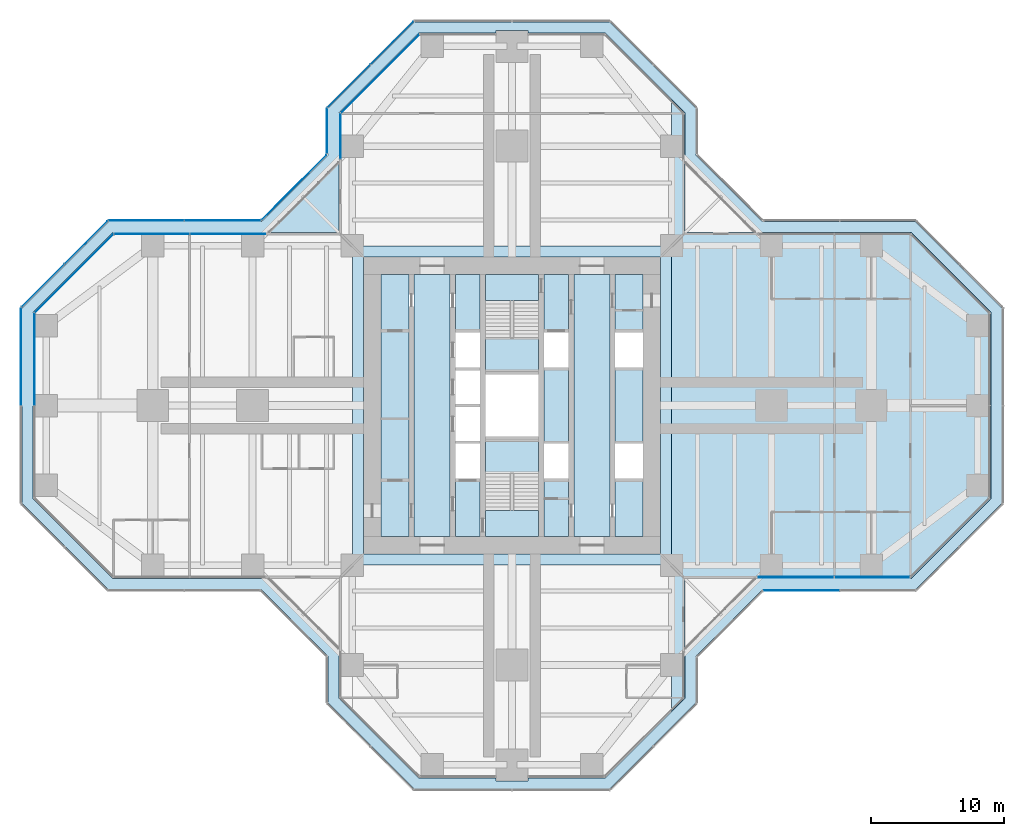
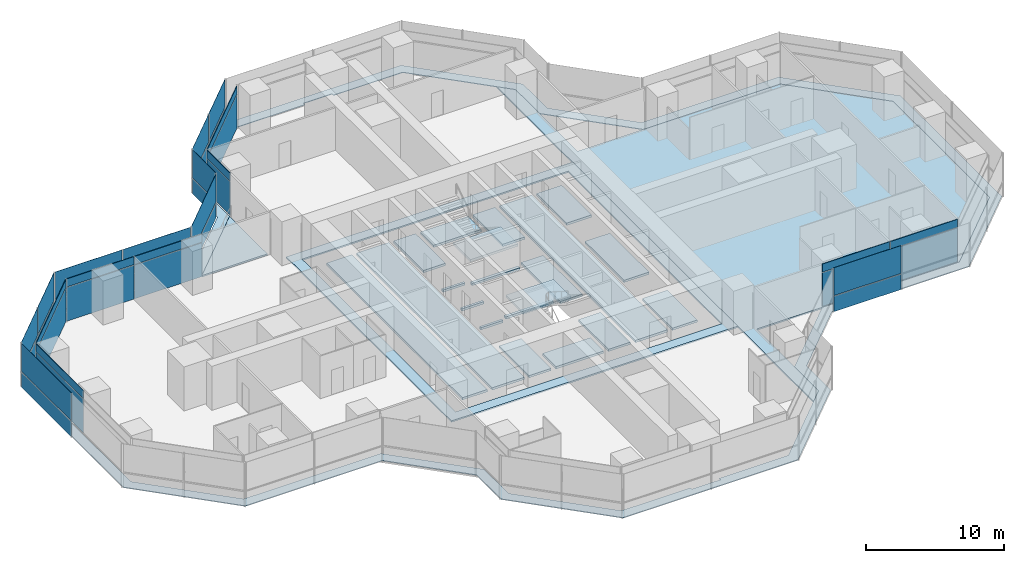
# One storey, part 13 of 20: 37 plates, 8 slabs, 15 elements without a shape of their own.
"""IFC4 building model written with IfcOpenShell, lengths in metres."""

from ifc_helpers import new_model, si_unit, direction, frame, origin, origin_2d, place, context, subcontext, project, spatial, polyline, rectangle, outline, extrude, material, layer, layer_set, type_object, element, aggregate, save


model = new_model("IFC4")

# Units and contexts
model_context = context("Model", 3, precision=1e-05, world=origin(), true_north=direction((0.0, 1.0)))
body_context = subcontext(model_context, "Body", "Model", "MODEL_VIEW")
ifc_project = project(units=[si_unit("LENGTHUNIT", "METRE"), si_unit("AREAUNIT", "SQUARE_METRE"), si_unit("VOLUMEUNIT", "CUBIC_METRE"), si_unit("PLANEANGLEUNIT", "RADIAN"), si_unit("MASSUNIT", "GRAM", prefix="KILO")], contexts=[model_context])

# Site, building, storey
site_placement = place(None, origin())
site = spatial("IfcSite", under=ifc_project, at=site_placement, CompositionType="ELEMENT")
building_placement = place(site_placement, origin())
building = spatial("IfcBuilding", under=site, at=building_placement, Name="Mizan Broadcast Tower", CompositionType="ELEMENT")
storey_placement = place(building_placement, frame((0.0, 0.0, 135.89990234375)))
storey = spatial("IfcBuildingStorey", under=building, at=storey_placement, Name="L30", CompositionType="ELEMENT", Elevation=135.89990234375)

# Plate
ifc_material_1 = material(Name="Aluminium grating", Category="aluminium")
ifc_layer_1 = layer(ifc_material_1, 0.050048828125)
ifc_layer_set_1 = layer_set([ifc_layer_1], Name="Aluminium grating")
plate_type_1 = type_object("IfcPlateType", Name="CAVITY GRATING", PredefinedType="USERDEFINED", material=ifc_layer_set_1)
plate_1_placement = place(storey_placement, frame((0.0, 0.0, -0.0498046875)))
element("IfcPlate", 1, at=plate_1_placement, inside=storey, type_object=plate_type_1, Name="Cavity grating L30", ObjectType="GRATING", PredefinedType="USERDEFINED", context=body_context, shape_type="SweptSolid", body=[
    extrude(outline(polyline([(13.820068359375, -18.839599609375), (18.839599609375, -13.820068359375), (30.339599609375, -13.820068359375), (36.820068359375, -7.339599609375), (36.820068359375, 7.339599609375), (30.339599609375, 13.820068359375), (18.839599609375, 13.820068359375), (13.820068359375, 18.839599609375), (13.820068359375, 22.339599609375), (7.339599609375, 28.820068359375), (-7.339599609375, 28.820068359375), (-13.820068359375, 22.339599609375), (-13.820068359375, 18.839599609375), (-18.839599609375, 13.820068359375), (-30.339599609375, 13.820068359375), (-36.820068359375, 7.339599609375), (-36.820068359375, -7.339599609375), (-30.339599609375, -13.820068359375), (-18.839599609375, -13.820068359375), (-13.820068359375, -18.839599609375), (-13.820068359375, -22.339599609375), (-7.339599609375, -28.820068359375), (7.339599609375, -28.820068359375), (13.820068359375, -22.339599609375), (13.820068359375, -18.839599609375)]), holes=[polyline([(36.0, 7.0), (36.0, -7.0), (30.0, -13.0), (18.5, -13.0), (13.0, -18.5), (13.0, -22.0), (7.0, -28.0), (1.199951171875, -28.0), (1.199951171875, -28.199951171875), (-1.199951171875, -28.199951171875), (-1.199951171875, -28.0), (-7.0, -28.0), (-13.0, -22.0), (-13.0, -18.5), (-18.5, -13.0), (-30.0, -13.0), (-36.0, -7.0), (-36.0, 7.0), (-30.0, 13.0), (-18.5, 13.0), (-13.0, 18.5), (-13.0, 22.0), (-7.0, 28.0), (-1.199951171875, 28.0), (-1.199951171875, 28.199951171875), (1.199951171875, 28.199951171875), (1.199951171875, 28.0), (7.0, 28.0), (13.0, 22.0), (13.0, 18.5), (18.5, 13.0), (30.0, 13.0), (36.0, 7.0)])]), origin(), (0.0, 0.0, 1.0), 0.0498046875),
])

# Slabs
ifc_material_2 = material(Name="Concrete C32/40", Category="concrete")
ifc_layer_2 = layer(ifc_material_2, 0.1298828125)
ifc_layer_set_2 = layer_set([ifc_layer_2], Name="Concrete C32/40")
slab_type_1 = type_object("IfcSlabType", Name="COMPOSITE DECK SLAB 130", PredefinedType="FLOOR", material=ifc_layer_set_2)
slab_1_placement = place(storey_placement, frame((0.0, 0.0, -0.1298828125)))
element("IfcSlab", 2, at=slab_1_placement, inside=storey, type_object=slab_type_1, Name="Floor slab L30 centre", PredefinedType="FLOOR", context=body_context, shape_type="SweptSolid", body=[
    extrude(outline(polyline([(-12.0, -12.0), (12.0, -12.0), (12.0, 12.0), (-12.0, 12.0), (-12.0, -12.0)]), holes=[polyline([(-11.14990234375, 11.14990234375), (11.14990234375, 11.14990234375), (11.14990234375, -11.14990234375), (-11.14990234375, -11.14990234375), (-11.14990234375, 11.14990234375)])]), origin(), (0.0, 0.0, 1.0), 0.1298828125),
])
slab_2_placement = place(storey_placement, frame((0.0, 0.0, -0.1298828125)))
element("IfcSlab", 3, at=slab_2_placement, inside=storey, type_object=slab_type_1, Name="Floor slab L30 east arm", PredefinedType="FLOOR", context=body_context, shape_type="SweptSolid", body=[
    extrude(outline(polyline([(12.0, -23.0), (13.0, -22.0), (13.0, -13.0), (30.0, -13.0), (36.0, -7.0), (36.0, 7.0), (30.0, 13.0), (13.0, 13.0), (13.0, 22.0), (12.0, 23.0), (12.0, -23.0)])), origin(), (0.0, 0.0, 1.0), 0.1298828125),
])
ifc_material_3 = material(Name="Concrete C40/50", Category="concrete")
ifc_layer_3 = layer(ifc_material_3, 0.199951171875)
ifc_layer_set_3 = layer_set([ifc_layer_3], Name="Concrete C40/50")
slab_type_2 = type_object("IfcSlabType", Name="CORE FLOOR 200", PredefinedType="FLOOR", material=ifc_layer_set_3)
slab_3_placement = place(storey_placement, frame((0.0, 0.0, -0.199951171875)))
element("IfcSlab", 4, at=slab_3_placement, inside=storey, type_object=slab_type_2, Name="Core floor L30", PredefinedType="FLOOR", context=body_context, shape_type="SweptSolid", body=[
    extrude(outline(polyline([(-9.85009765625, -9.85009765625), (-7.75, -9.85009765625), (-7.75, 9.85009765625), (-9.85009765625, 9.85009765625), (-9.85009765625, -9.85009765625)])), origin(), (0.0, 0.0, 1.0), 0.199951171875),
    extrude(outline(polyline([(-4.64990234375, 9.85009765625), (-7.35009765625, 9.85009765625), (-7.35009765625, -9.85009765625), (-4.64990234375, -9.85009765625), (-4.64990234375, 9.85009765625)])), origin(), (0.0, 0.0, 1.0), 0.199951171875),
    extrude(outline(polyline([(-4.25, -5.5), (-4.25, -9.85009765625), (-2.39990234375, -9.85009765625), (-2.39990234375, -5.5), (-4.25, -5.5)])), origin(), (0.0, 0.0, 1.0), 0.199951171875),
    extrude(outline(polyline([(-4.25, -2.85009765625), (-2.39990234375, -2.85009765625), (-2.39990234375, -2.64990234375), (-4.25, -2.64990234375), (-4.25, -2.85009765625)])), origin(), (0.0, 0.0, 1.0), 0.199951171875),
    extrude(outline(polyline([(-4.25, -0.10009765625), (-2.39990234375, -0.10009765625), (-2.39990234375, 0.10009765625), (-4.25, 0.10009765625), (-4.25, -0.10009765625)])), origin(), (0.0, 0.0, 1.0), 0.199951171875),
    extrude(outline(polyline([(-4.25, 2.64990234375), (-2.39990234375, 2.64990234375), (-2.39990234375, 2.85009765625), (-4.25, 2.85009765625), (-4.25, 2.64990234375)])), origin(), (0.0, 0.0, 1.0), 0.199951171875),
    extrude(outline(polyline([(-4.25, 5.5), (-2.39990234375, 5.5), (-2.39990234375, 9.85009765625), (-4.25, 9.85009765625), (-4.25, 5.5)])), origin(), (0.0, 0.0, 1.0), 0.199951171875),
    extrude(outline(polyline([(2.0, -2.324951171875), (-2.0, -2.324951171875), (-2.0, -2.574951171875), (2.0, -2.574951171875), (2.0, -2.324951171875)])), origin(), (0.0, 0.0, 1.0), 0.199951171875),
    extrude(outline(polyline([(2.0, 2.574951171875), (-2.0, 2.574951171875), (-2.0, 2.324951171875), (2.0, 2.324951171875), (2.0, 2.574951171875)])), origin(), (0.0, 0.0, 1.0), 0.199951171875),
    extrude(outline(polyline([(4.25, -9.85009765625), (4.25, -5.5), (2.39990234375, -5.5), (2.39990234375, -9.85009765625), (4.25, -9.85009765625)])), origin(), (0.0, 0.0, 1.0), 0.199951171875),
    extrude(outline(polyline([(4.25, -2.85009765625), (4.25, 2.85009765625), (2.39990234375, 2.85009765625), (2.39990234375, -2.85009765625), (4.25, -2.85009765625)])), origin(), (0.0, 0.0, 1.0), 0.199951171875),
    extrude(outline(polyline([(4.25, 5.5), (4.25, 9.85009765625), (2.39990234375, 9.85009765625), (2.39990234375, 5.5), (4.25, 5.5)])), origin(), (0.0, 0.0, 1.0), 0.199951171875),
    extrude(outline(polyline([(4.64990234375, 9.85009765625), (4.64990234375, -9.85009765625), (7.35009765625, -9.85009765625), (7.35009765625, 9.85009765625), (4.64990234375, 9.85009765625)])), origin(), (0.0, 0.0, 1.0), 0.199951171875),
    extrude(outline(polyline([(9.85009765625, -9.85009765625), (9.85009765625, -5.5), (7.75, -5.5), (7.75, -9.85009765625), (9.85009765625, -9.85009765625)])), origin(), (0.0, 0.0, 1.0), 0.199951171875),
    extrude(outline(polyline([(7.75, -2.85009765625), (9.85009765625, -2.85009765625), (9.85009765625, 2.85009765625), (7.75, 2.85009765625), (7.75, -2.85009765625)])), origin(), (0.0, 0.0, 1.0), 0.199951171875),
    extrude(outline(polyline([(9.85009765625, 5.5), (9.85009765625, 9.85009765625), (7.75, 9.85009765625), (7.75, 5.5), (9.85009765625, 5.5)])), origin(), (0.0, 0.0, 1.0), 0.199951171875),
])

# Curtain wall, plates
ifc_material_4 = material(Name="Aluminium framed glazing", Category="aluminium")
curtain_wall_type_1 = type_object("IfcCurtainWallType", Name="INNER SKIN MID ZONE", PredefinedType="USERDEFINED", material=ifc_material_4)
curtain_wall_1_placement = place(storey_placement, origin())
curtain_wall_1 = element("IfcCurtainWall", 5, at=curtain_wall_1_placement, inside=storey, type_object=curtain_wall_type_1, Name="Inner skin mid zone L30 E side", ObjectType="INNER SKIN MID ZONE", PredefinedType="USERDEFINED")
ifc_material_5 = material(Name="Double glazing, clear low-e", Category="glass")
ifc_layer_4 = layer(ifc_material_5, 0.028076171875)
ifc_layer_set_4 = layer_set([ifc_layer_4], Name="Double glazing, clear low-e")
plate_type_2 = type_object("IfcPlateType", Name="INNER SKIN GLAZING UNIT", PredefinedType="CURTAIN_PANEL", material=ifc_layer_set_4)
plate_2_placement = place(storey_placement, frame((21.379638671875, -12.89990234375, 0.0), z_axis=(0.0, 0.0, 1.0), x_axis=(1.0, 0.0, 0.0)))
plate_2 = element("IfcPlate", 6, at=plate_2_placement, type_object=plate_type_2, Name="Inner skin mid zone L30 E side panel 1.1", PredefinedType="CURTAIN_PANEL", context=body_context, shape_type="SweptSolid", body=[
    extrude(rectangle(XDim=5.639404296875, YDim=0.028076171875, at=origin_2d()), origin(), (0.0, 0.0, 1.0), 3.0),
])
plate_3_placement = place(storey_placement, frame((27.078857421875, -12.89990234375, 0.0), z_axis=(0.0, 0.0, 1.0), x_axis=(1.0, 0.0, 0.0)))
plate_3 = element("IfcPlate", 7, at=plate_3_placement, type_object=plate_type_2, Name="Inner skin mid zone L30 E side panel 2.1", PredefinedType="CURTAIN_PANEL", context=body_context, shape_type="SweptSolid", body=[
    extrude(rectangle(XDim=5.639404296875, YDim=0.028076171875, at=origin_2d()), origin(), (0.0, 0.0, 1.0), 3.0),
])

# Curtain wall, plate
curtain_wall_2_placement = place(storey_placement, origin())
curtain_wall_2 = element("IfcCurtainWall", 8, at=curtain_wall_2_placement, inside=storey, type_object=curtain_wall_type_1, Name="Inner skin mid zone L30 N chamfer", ObjectType="INNER SKIN MID ZONE", PredefinedType="USERDEFINED")
plate_4_placement = place(storey_placement, frame((-9.92919921875, 24.92919921875, 0.0), z_axis=(0.0, 0.0, 1.0), x_axis=(-0.707106781187, -0.707106781187, 0.0)))
plate_4 = element("IfcPlate", 9, at=plate_4_placement, type_object=plate_type_2, Name="Inner skin mid zone L30 N chamfer panel 1.1", PredefinedType="CURTAIN_PANEL", context=body_context, shape_type="SweptSolid", body=[
    extrude(rectangle(XDim=8.282470703125, YDim=0.028076171875, at=origin_2d()), origin(), (0.0, 0.0, 1.0), 3.0),
])

curtain_wall_3_placement = place(storey_placement, origin())
curtain_wall_3 = element("IfcCurtainWall", 10, at=curtain_wall_3_placement, inside=storey, type_object=curtain_wall_type_1, Name="Inner skin mid zone L30 N side", ObjectType="INNER SKIN MID ZONE", PredefinedType="USERDEFINED")
plate_5_placement = place(storey_placement, frame((-12.89990234375, 20.229248046875, 0.0), z_axis=(0.0, 0.0, 1.0), x_axis=(0.0, -1.0, 0.0)))
plate_5 = element("IfcPlate", 11, at=plate_5_placement, type_object=plate_type_2, Name="Inner skin mid zone L30 N side panel 1.1", PredefinedType="CURTAIN_PANEL", context=body_context, shape_type="SweptSolid", body=[
    extrude(rectangle(XDim=3.338623046875, YDim=0.028076171875, at=origin_2d()), origin(), (0.0, 0.0, 1.0), 3.0),
])

# Curtain wall, plates
curtain_wall_4_placement = place(storey_placement, origin())
curtain_wall_4 = element("IfcCurtainWall", 12, at=curtain_wall_4_placement, inside=storey, type_object=curtain_wall_type_1, Name="Inner skin mid zone L30 W side", ObjectType="INNER SKIN MID ZONE", PredefinedType="USERDEFINED")
plate_6_placement = place(storey_placement, frame((-21.379638671875, 12.89990234375, 0.0), z_axis=(0.0, 0.0, 1.0), x_axis=(-1.0, 0.0, 0.0)))
plate_6 = element("IfcPlate", 13, at=plate_6_placement, type_object=plate_type_2, Name="Inner skin mid zone L30 W side panel 1.1", PredefinedType="CURTAIN_PANEL", context=body_context, shape_type="SweptSolid", body=[
    extrude(rectangle(XDim=5.639404296875, YDim=0.028076171875, at=origin_2d()), origin(), (0.0, 0.0, 1.0), 3.0),
])
plate_7_placement = place(storey_placement, frame((-27.078857421875, 12.89990234375, 0.0), z_axis=(0.0, 0.0, 1.0), x_axis=(-1.0, 0.0, 0.0)))
plate_7 = element("IfcPlate", 14, at=plate_7_placement, type_object=plate_type_2, Name="Inner skin mid zone L30 W side panel 2.1", PredefinedType="CURTAIN_PANEL", context=body_context, shape_type="SweptSolid", body=[
    extrude(rectangle(XDim=5.639404296875, YDim=0.028076171875, at=origin_2d()), origin(), (0.0, 0.0, 1.0), 3.0),
])

# Curtain wall, plate
curtain_wall_5_placement = place(storey_placement, origin())
curtain_wall_5 = element("IfcCurtainWall", 15, at=curtain_wall_5_placement, inside=storey, type_object=curtain_wall_type_1, Name="Inner skin mid zone L30 W chamfer", ObjectType="INNER SKIN MID ZONE", PredefinedType="USERDEFINED")
plate_8_placement = place(storey_placement, frame((-32.92919921875, 9.92919921875, 0.0), z_axis=(0.0, 0.0, 1.0), x_axis=(-0.707106781187, -0.707106781187, 0.0)))
plate_8 = element("IfcPlate", 16, at=plate_8_placement, type_object=plate_type_2, Name="Inner skin mid zone L30 W chamfer panel 1.1", PredefinedType="CURTAIN_PANEL", context=body_context, shape_type="SweptSolid", body=[
    extrude(rectangle(XDim=8.282470703125, YDim=0.028076171875, at=origin_2d()), origin(), (0.0, 0.0, 1.0), 3.0),
])

curtain_wall_6_placement = place(storey_placement, origin())
curtain_wall_6 = element("IfcCurtainWall", 17, at=curtain_wall_6_placement, inside=storey, type_object=curtain_wall_type_1, Name="Inner skin mid zone L30 W end", ObjectType="INNER SKIN MID ZONE", PredefinedType="USERDEFINED")
plate_9_placement = place(storey_placement, frame((-35.89990234375, 3.46435546875, 0.0), z_axis=(0.0, 0.0, 1.0), x_axis=(0.0, -1.0, 0.0)))
plate_9 = element("IfcPlate", 18, at=plate_9_placement, type_object=plate_type_2, Name="Inner skin mid zone L30 W end panel 1.1", PredefinedType="CURTAIN_PANEL", context=body_context, shape_type="SweptSolid", body=[
    extrude(rectangle(XDim=6.86865234375, YDim=0.028076171875, at=origin_2d()), origin(), (0.0, 0.0, 1.0), 3.0),
])

# Plate
ifc_material_6 = material(Name="Insulated aluminium spandrel panel, pale anodised", Category="aluminium")
ifc_layer_5 = layer(ifc_material_6, 0.050048828125)
ifc_layer_set_5 = layer_set([ifc_layer_5], Name="Insulated aluminium spandrel panel, pale anodised")
plate_type_3 = type_object("IfcPlateType", Name="INNER SKIN SPANDREL PANEL", PredefinedType="CURTAIN_PANEL", material=ifc_layer_set_5)
plate_10_placement = place(storey_placement, frame((21.379638671875, -12.89990234375, 3.06005859375), z_axis=(0.0, 0.0, 1.0), x_axis=(1.0, 0.0, 0.0)))
plate_10 = element("IfcPlate", 19, at=plate_10_placement, type_object=plate_type_3, Name="Inner skin mid zone L30 E side panel 1.2", PredefinedType="CURTAIN_PANEL", context=body_context, shape_type="SweptSolid", body=[
    extrude(rectangle(XDim=5.639404296875, YDim=0.050048828125, at=origin_2d()), origin(), (0.0, 0.0, 1.0), 0.7099609375),
])

plate_11_placement = place(storey_placement, frame((27.078857421875, -12.89990234375, 3.06005859375), z_axis=(0.0, 0.0, 1.0), x_axis=(1.0, 0.0, 0.0)))
plate_11 = element("IfcPlate", 20, at=plate_11_placement, type_object=plate_type_3, Name="Inner skin mid zone L30 E side panel 2.2", PredefinedType="CURTAIN_PANEL", context=body_context, shape_type="SweptSolid", body=[
    extrude(rectangle(XDim=5.639404296875, YDim=0.050048828125, at=origin_2d()), origin(), (0.0, 0.0, 1.0), 0.7099609375),
])

aggregate(curtain_wall_1, [plate_2, plate_10, plate_3, plate_11])

plate_12_placement = place(storey_placement, frame((-9.92919921875, 24.92919921875, 3.06005859375), z_axis=(0.0, 0.0, 1.0), x_axis=(-0.707106781187, -0.707106781187, 0.0)))
plate_12 = element("IfcPlate", 21, at=plate_12_placement, type_object=plate_type_3, Name="Inner skin mid zone L30 N chamfer panel 1.2", PredefinedType="CURTAIN_PANEL", context=body_context, shape_type="SweptSolid", body=[
    extrude(rectangle(XDim=8.282470703125, YDim=0.050048828125, at=origin_2d()), origin(), (0.0, 0.0, 1.0), 0.7099609375),
])

aggregate(curtain_wall_2, [plate_4, plate_12])

plate_13_placement = place(storey_placement, frame((-12.89990234375, 20.229248046875, 3.06005859375), z_axis=(0.0, 0.0, 1.0), x_axis=(0.0, -1.0, 0.0)))
plate_13 = element("IfcPlate", 22, at=plate_13_placement, type_object=plate_type_3, Name="Inner skin mid zone L30 N side panel 1.2", PredefinedType="CURTAIN_PANEL", context=body_context, shape_type="SweptSolid", body=[
    extrude(rectangle(XDim=3.338623046875, YDim=0.050048828125, at=origin_2d()), origin(), (0.0, 0.0, 1.0), 0.7099609375),
])

aggregate(curtain_wall_3, [plate_5, plate_13])

plate_14_placement = place(storey_placement, frame((-21.379638671875, 12.89990234375, 3.06005859375), z_axis=(0.0, 0.0, 1.0), x_axis=(-1.0, 0.0, 0.0)))
plate_14 = element("IfcPlate", 23, at=plate_14_placement, type_object=plate_type_3, Name="Inner skin mid zone L30 W side panel 1.2", PredefinedType="CURTAIN_PANEL", context=body_context, shape_type="SweptSolid", body=[
    extrude(rectangle(XDim=5.639404296875, YDim=0.050048828125, at=origin_2d()), origin(), (0.0, 0.0, 1.0), 0.7099609375),
])

plate_15_placement = place(storey_placement, frame((-27.078857421875, 12.89990234375, 3.06005859375), z_axis=(0.0, 0.0, 1.0), x_axis=(-1.0, 0.0, 0.0)))
plate_15 = element("IfcPlate", 24, at=plate_15_placement, type_object=plate_type_3, Name="Inner skin mid zone L30 W side panel 2.2", PredefinedType="CURTAIN_PANEL", context=body_context, shape_type="SweptSolid", body=[
    extrude(rectangle(XDim=5.639404296875, YDim=0.050048828125, at=origin_2d()), origin(), (0.0, 0.0, 1.0), 0.7099609375),
])

aggregate(curtain_wall_4, [plate_6, plate_14, plate_7, plate_15])

plate_16_placement = place(storey_placement, frame((-32.92919921875, 9.92919921875, 3.06005859375), z_axis=(0.0, 0.0, 1.0), x_axis=(-0.707106781187, -0.707106781187, 0.0)))
plate_16 = element("IfcPlate", 25, at=plate_16_placement, type_object=plate_type_3, Name="Inner skin mid zone L30 W chamfer panel 1.2", PredefinedType="CURTAIN_PANEL", context=body_context, shape_type="SweptSolid", body=[
    extrude(rectangle(XDim=8.282470703125, YDim=0.050048828125, at=origin_2d()), origin(), (0.0, 0.0, 1.0), 0.7099609375),
])

aggregate(curtain_wall_5, [plate_8, plate_16])

plate_17_placement = place(storey_placement, frame((-35.89990234375, 3.46435546875, 3.06005859375), z_axis=(0.0, 0.0, 1.0), x_axis=(0.0, -1.0, 0.0)))
plate_17 = element("IfcPlate", 26, at=plate_17_placement, type_object=plate_type_3, Name="Inner skin mid zone L30 W end panel 1.2", PredefinedType="CURTAIN_PANEL", context=body_context, shape_type="SweptSolid", body=[
    extrude(rectangle(XDim=6.86865234375, YDim=0.050048828125, at=origin_2d()), origin(), (0.0, 0.0, 1.0), 0.7099609375),
])

aggregate(curtain_wall_6, [plate_9, plate_17])

# Curtain wall, plates
ifc_material_7 = material(Name="Aluminium framed glazing", Category="aluminium")
curtain_wall_type_2 = type_object("IfcCurtainWallType", Name="OUTER SKIN", PredefinedType="USERDEFINED", material=ifc_material_7)
curtain_wall_7_placement = place(storey_placement, origin())
curtain_wall_7 = element("IfcCurtainWall", 27, at=curtain_wall_7_placement, inside=storey, type_object=curtain_wall_type_2, Name="Outer skin L30 N chamfer", ObjectType="OUTER SKIN", PredefinedType="USERDEFINED")
ifc_material_8 = material(Name="Laminated clear glass", Category="glass")
ifc_layer_6 = layer(ifc_material_8, 0.02001953125)
ifc_layer_set_6 = layer_set([ifc_layer_6], Name="Laminated clear glass")
plate_type_4 = type_object("IfcPlateType", Name="OUTER SKIN CLEAR GLASS", PredefinedType="CURTAIN_PANEL", material=ifc_layer_set_6)
plate_18_placement = place(storey_placement, frame((-9.018798828125, 27.254150390625, 0.0), z_axis=(0.0, 0.0, 1.0), x_axis=(-0.707106781187, -0.707106781187, 0.0)))
plate_18 = element("IfcPlate", 28, at=plate_18_placement, type_object=plate_type_4, Name="Outer skin L30 N chamfer panel 1.1", PredefinedType="CURTAIN_PANEL", context=body_context, shape_type="SweptSolid", body=[
    extrude(rectangle(XDim=4.495361328125, YDim=0.02001953125, at=origin_2d()), origin(), (0.0, 0.0, 1.0), 1.3701171875),
])
plate_19_placement = place(storey_placement, frame((-9.018798828125, 27.254150390625, 1.43017578125), z_axis=(0.0, 0.0, 1.0), x_axis=(-0.707106781187, -0.707106781187, 0.0)))
plate_19 = element("IfcPlate", 29, at=plate_19_placement, type_object=plate_type_4, Name="Outer skin L30 N chamfer panel 1.2", PredefinedType="CURTAIN_PANEL", context=body_context, shape_type="SweptSolid", body=[
    extrude(rectangle(XDim=4.495361328125, YDim=0.02001953125, at=origin_2d()), origin(), (0.0, 0.0, 1.0), 2.469970703125),
])

curtain_wall_8_placement = place(storey_placement, origin())
curtain_wall_8 = element("IfcCurtainWall", 30, at=curtain_wall_8_placement, inside=storey, type_object=curtain_wall_type_2, Name="Outer skin L30 N side", ObjectType="OUTER SKIN", PredefinedType="USERDEFINED")
plate_20_placement = place(storey_placement, frame((-13.89990234375, 20.622802734375, 0.0), z_axis=(0.0, 0.0, 1.0), x_axis=(0.0, -1.0, 0.0)))
plate_20 = element("IfcPlate", 31, at=plate_20_placement, type_object=plate_type_4, Name="Outer skin L30 N side panel 1.1", PredefinedType="CURTAIN_PANEL", context=body_context, shape_type="SweptSolid", body=[
    extrude(rectangle(XDim=3.340087890625, YDim=0.02001953125, at=origin_2d()), origin(), (0.0, 0.0, 1.0), 1.3701171875),
])
plate_21_placement = place(storey_placement, frame((-13.89990234375, 20.622802734375, 1.43017578125), z_axis=(0.0, 0.0, 1.0), x_axis=(0.0, -1.0, 0.0)))
plate_21 = element("IfcPlate", 32, at=plate_21_placement, type_object=plate_type_4, Name="Outer skin L30 N side panel 1.2", PredefinedType="CURTAIN_PANEL", context=body_context, shape_type="SweptSolid", body=[
    extrude(rectangle(XDim=3.340087890625, YDim=0.02001953125, at=origin_2d()), origin(), (0.0, 0.0, 1.0), 2.469970703125),
])
aggregate(curtain_wall_8, [plate_20, plate_21])

curtain_wall_9_placement = place(storey_placement, origin())
curtain_wall_9 = element("IfcCurtainWall", 33, at=curtain_wall_9_placement, inside=storey, type_object=curtain_wall_type_2, Name="Outer skin L30 W chamfer", ObjectType="OUTER SKIN", PredefinedType="USERDEFINED")
plate_22_placement = place(storey_placement, frame((-16.386474609375, 16.386474609375, 0.0), z_axis=(0.0, 0.0, 1.0), x_axis=(-0.707106781187, -0.707106781187, 0.0)))
plate_22 = element("IfcPlate", 34, at=plate_22_placement, type_object=plate_type_4, Name="Outer skin L30 W chamfer panel 1.1", PredefinedType="CURTAIN_PANEL", context=body_context, shape_type="SweptSolid", body=[
    extrude(rectangle(XDim=6.87255859375, YDim=0.02001953125, at=origin_2d()), origin(), (0.0, 0.0, 1.0), 1.3701171875),
])
plate_23_placement = place(storey_placement, frame((-16.386474609375, 16.386474609375, 1.43017578125), z_axis=(0.0, 0.0, 1.0), x_axis=(-0.707106781187, -0.707106781187, 0.0)))
plate_23 = element("IfcPlate", 35, at=plate_23_placement, type_object=plate_type_4, Name="Outer skin L30 W chamfer panel 1.2", PredefinedType="CURTAIN_PANEL", context=body_context, shape_type="SweptSolid", body=[
    extrude(rectangle(XDim=6.87255859375, YDim=0.02001953125, at=origin_2d()), origin(), (0.0, 0.0, 1.0), 2.469970703125),
])
aggregate(curtain_wall_9, [plate_22, plate_23])

curtain_wall_10_placement = place(storey_placement, origin())
curtain_wall_10 = element("IfcCurtainWall", 36, at=curtain_wall_10_placement, inside=storey, type_object=curtain_wall_type_2, Name="Outer skin L30 W side", ObjectType="OUTER SKIN", PredefinedType="USERDEFINED")
plate_24_placement = place(storey_placement, frame((-21.767822265625, 13.89990234375, 0.0), z_axis=(0.0, 0.0, 1.0), x_axis=(-1.0, 0.0, 0.0)))
plate_24 = element("IfcPlate", 37, at=plate_24_placement, type_object=plate_type_4, Name="Outer skin L30 W side panel 1.1", PredefinedType="CURTAIN_PANEL", context=body_context, shape_type="SweptSolid", body=[
    extrude(rectangle(XDim=5.6298828125, YDim=0.02001953125, at=origin_2d()), origin(), (0.0, 0.0, 1.0), 1.3701171875),
])
plate_25_placement = place(storey_placement, frame((-21.767822265625, 13.89990234375, 1.43017578125), z_axis=(0.0, 0.0, 1.0), x_axis=(-1.0, 0.0, 0.0)))
plate_25 = element("IfcPlate", 38, at=plate_25_placement, type_object=plate_type_4, Name="Outer skin L30 W side panel 1.2", PredefinedType="CURTAIN_PANEL", context=body_context, shape_type="SweptSolid", body=[
    extrude(rectangle(XDim=5.6298828125, YDim=0.02001953125, at=origin_2d()), origin(), (0.0, 0.0, 1.0), 2.469970703125),
])
plate_26_placement = place(storey_placement, frame((-27.477783203125, 13.89990234375, 0.0), z_axis=(0.0, 0.0, 1.0), x_axis=(-1.0, 0.0, 0.0)))
plate_26 = element("IfcPlate", 39, at=plate_26_placement, type_object=plate_type_4, Name="Outer skin L30 W side panel 2.1", PredefinedType="CURTAIN_PANEL", context=body_context, shape_type="SweptSolid", body=[
    extrude(rectangle(XDim=5.6298828125, YDim=0.02001953125, at=origin_2d()), origin(), (0.0, 0.0, 1.0), 1.3701171875),
])
plate_27_placement = place(storey_placement, frame((-27.477783203125, 13.89990234375, 1.43017578125), z_axis=(0.0, 0.0, 1.0), x_axis=(-1.0, 0.0, 0.0)))
plate_27 = element("IfcPlate", 40, at=plate_27_placement, type_object=plate_type_4, Name="Outer skin L30 W side panel 2.2", PredefinedType="CURTAIN_PANEL", context=body_context, shape_type="SweptSolid", body=[
    extrude(rectangle(XDim=5.6298828125, YDim=0.02001953125, at=origin_2d()), origin(), (0.0, 0.0, 1.0), 2.469970703125),
])
aggregate(curtain_wall_10, [plate_24, plate_25, plate_26, plate_27])

curtain_wall_11_placement = place(storey_placement, origin())
curtain_wall_11 = element("IfcCurtainWall", 41, at=curtain_wall_11_placement, inside=storey, type_object=curtain_wall_type_2, Name="Outer skin L30 W chamfer", ObjectType="OUTER SKIN", PredefinedType="USERDEFINED")
plate_28_placement = place(storey_placement, frame((-32.018798828125, 12.254150390625, 0.0), z_axis=(0.0, 0.0, 1.0), x_axis=(-0.707106781187, -0.707106781187, 0.0)))
plate_28 = element("IfcPlate", 42, at=plate_28_placement, type_object=plate_type_4, Name="Outer skin L30 W chamfer panel 1.1", PredefinedType="CURTAIN_PANEL", context=body_context, shape_type="SweptSolid", body=[
    extrude(rectangle(XDim=4.495361328125, YDim=0.02001953125, at=origin_2d()), origin(), (0.0, 0.0, 1.0), 1.3701171875),
])
plate_29_placement = place(storey_placement, frame((-32.018798828125, 12.254150390625, 1.43017578125), z_axis=(0.0, 0.0, 1.0), x_axis=(-0.707106781187, -0.707106781187, 0.0)))
plate_29 = element("IfcPlate", 43, at=plate_29_placement, type_object=plate_type_4, Name="Outer skin L30 W chamfer panel 1.2", PredefinedType="CURTAIN_PANEL", context=body_context, shape_type="SweptSolid", body=[
    extrude(rectangle(XDim=4.495361328125, YDim=0.02001953125, at=origin_2d()), origin(), (0.0, 0.0, 1.0), 2.469970703125),
])

curtain_wall_12_placement = place(storey_placement, origin())
curtain_wall_12 = element("IfcCurtainWall", 44, at=curtain_wall_12_placement, inside=storey, type_object=curtain_wall_type_2, Name="Outer skin L30 W end", ObjectType="OUTER SKIN", PredefinedType="USERDEFINED")
plate_30_placement = place(storey_placement, frame((-36.89990234375, 3.66650390625, 0.0), z_axis=(0.0, 0.0, 1.0), x_axis=(0.0, -1.0, 0.0)))
plate_30 = element("IfcPlate", 45, at=plate_30_placement, type_object=plate_type_4, Name="Outer skin L30 W end panel 1.1", PredefinedType="CURTAIN_PANEL", context=body_context, shape_type="SweptSolid", body=[
    extrude(rectangle(XDim=7.252685546875, YDim=0.02001953125, at=origin_2d()), origin(), (0.0, 0.0, 1.0), 1.3701171875),
])
plate_31_placement = place(storey_placement, frame((-36.89990234375, 3.66650390625, 1.43017578125), z_axis=(0.0, 0.0, 1.0), x_axis=(0.0, -1.0, 0.0)))
plate_31 = element("IfcPlate", 46, at=plate_31_placement, type_object=plate_type_4, Name="Outer skin L30 W end panel 1.2", PredefinedType="CURTAIN_PANEL", context=body_context, shape_type="SweptSolid", body=[
    extrude(rectangle(XDim=7.252685546875, YDim=0.02001953125, at=origin_2d()), origin(), (0.0, 0.0, 1.0), 2.469970703125),
])
aggregate(curtain_wall_12, [plate_30, plate_31])

curtain_wall_13_placement = place(storey_placement, origin())
curtain_wall_13 = element("IfcCurtainWall", 47, at=curtain_wall_13_placement, inside=storey, type_object=curtain_wall_type_2, Name="Outer skin L30 E side", ObjectType="OUTER SKIN", PredefinedType="USERDEFINED")
plate_32_placement = place(storey_placement, frame((21.767822265625, -13.89990234375, 0.0), z_axis=(0.0, 0.0, 1.0), x_axis=(1.0, 0.0, 0.0)))
plate_32 = element("IfcPlate", 48, at=plate_32_placement, type_object=plate_type_4, Name="Outer skin L30 E side panel 1.1", PredefinedType="CURTAIN_PANEL", context=body_context, shape_type="SweptSolid", body=[
    extrude(rectangle(XDim=5.6298828125, YDim=0.02001953125, at=origin_2d()), origin(), (0.0, 0.0, 1.0), 1.3701171875),
])
plate_33_placement = place(storey_placement, frame((21.767822265625, -13.89990234375, 1.43017578125), z_axis=(0.0, 0.0, 1.0), x_axis=(1.0, 0.0, 0.0)))
plate_33 = element("IfcPlate", 49, at=plate_33_placement, type_object=plate_type_4, Name="Outer skin L30 E side panel 1.2", PredefinedType="CURTAIN_PANEL", context=body_context, shape_type="SweptSolid", body=[
    extrude(rectangle(XDim=5.6298828125, YDim=0.02001953125, at=origin_2d()), origin(), (0.0, 0.0, 1.0), 2.469970703125),
])
aggregate(curtain_wall_13, [plate_32, plate_33])

# Plate
ifc_material_9 = material(Name="Perforated aluminium, pale anodised", Category="aluminium")
ifc_layer_7 = layer(ifc_material_9, 0.011962890625)
ifc_layer_set_7 = layer_set([ifc_layer_7], Name="Perforated aluminium, pale anodised")
plate_type_5 = type_object("IfcPlateType", Name="OUTER SKIN PERFORATED SCREEN", PredefinedType="USERDEFINED", material=ifc_layer_set_7)
plate_34_placement = place(storey_placement, frame((-12.254150390625, 24.018798828125, 0.0), z_axis=(0.0, 0.0, 1.0), x_axis=(-0.707106781187, -0.707106781187, 0.0)))
plate_34 = element("IfcPlate", 50, at=plate_34_placement, type_object=plate_type_5, Name="Outer skin L30 N chamfer panel 2.1", ObjectType="SCREEN", PredefinedType="USERDEFINED", context=body_context, shape_type="SweptSolid", body=[
    extrude(rectangle(XDim=4.495361328125, YDim=0.011962890625, at=origin_2d()), origin(), (0.0, 0.0, 1.0), 1.3701171875),
])

plate_35_placement = place(storey_placement, frame((-12.254150390625, 24.018798828125, 1.43017578125), z_axis=(0.0, 0.0, 1.0), x_axis=(-0.707106781187, -0.707106781187, 0.0)))
plate_35 = element("IfcPlate", 51, at=plate_35_placement, type_object=plate_type_5, Name="Outer skin L30 N chamfer panel 2.2", ObjectType="SCREEN", PredefinedType="USERDEFINED", context=body_context, shape_type="SweptSolid", body=[
    extrude(rectangle(XDim=4.495361328125, YDim=0.011962890625, at=origin_2d()), origin(), (0.0, 0.0, 1.0), 2.469970703125),
])

aggregate(curtain_wall_7, [plate_18, plate_19, plate_34, plate_35])

plate_36_placement = place(storey_placement, frame((-35.254150390625, 9.018798828125, 0.0), z_axis=(0.0, 0.0, 1.0), x_axis=(-0.707106781187, -0.707106781187, 0.0)))
plate_36 = element("IfcPlate", 52, at=plate_36_placement, type_object=plate_type_5, Name="Outer skin L30 W chamfer panel 2.1", ObjectType="SCREEN", PredefinedType="USERDEFINED", context=body_context, shape_type="SweptSolid", body=[
    extrude(rectangle(XDim=4.495361328125, YDim=0.011962890625, at=origin_2d()), origin(), (0.0, 0.0, 1.0), 1.3701171875),
])

plate_37_placement = place(storey_placement, frame((-35.254150390625, 9.018798828125, 1.43017578125), z_axis=(0.0, 0.0, 1.0), x_axis=(-0.707106781187, -0.707106781187, 0.0)))
plate_37 = element("IfcPlate", 53, at=plate_37_placement, type_object=plate_type_5, Name="Outer skin L30 W chamfer panel 2.2", ObjectType="SCREEN", PredefinedType="USERDEFINED", context=body_context, shape_type="SweptSolid", body=[
    extrude(rectangle(XDim=4.495361328125, YDim=0.011962890625, at=origin_2d()), origin(), (0.0, 0.0, 1.0), 2.469970703125),
])

aggregate(curtain_wall_11, [plate_28, plate_29, plate_36, plate_37])

# Stair, slabs
ifc_material_10 = material(Name="Concrete C40/50", Category="concrete")
stair_type = type_object("IfcStairType", Name="EXIT STAIR", PredefinedType="HALF_TURN_STAIR", material=ifc_material_10)
stair_1_placement = place(storey_placement, origin())
stair_1 = element("IfcStair", 54, at=stair_1_placement, inside=storey, type_object=stair_type, Name="Stair A L30", PredefinedType="HALF_TURN_STAIR")
ifc_material_11 = material(Name="Concrete C40/50", Category="concrete")
ifc_layer_8 = layer(ifc_material_11, 0.199951171875)
ifc_layer_set_8 = layer_set([ifc_layer_8], Name="Concrete C40/50")
slab_type_3 = type_object("IfcSlabType", Name="STAIR LANDING 200", PredefinedType="LANDING", material=ifc_layer_set_8)
slab_4_placement = place(storey_placement, frame((0.0, 0.0, -0.199951171875)))
slab_4 = element("IfcSlab", 55, at=slab_4_placement, type_object=slab_type_3, Name="A landing 1", PredefinedType="LANDING", context=body_context, shape_type="SweptSolid", body=[
    extrude(outline(polyline([(-2.0, -9.85009765625), (-2.0, -7.89990234375), (2.0, -7.89990234375), (2.0, -9.85009765625), (-2.0, -9.85009765625)])), origin(), (0.0, 0.0, 1.0), 0.199951171875),
])
slab_5_placement = place(storey_placement, frame((0.0, 0.0, 1.75)))
slab_5 = element("IfcSlab", 56, at=slab_5_placement, type_object=slab_type_3, Name="A landing 2", PredefinedType="LANDING", context=body_context, shape_type="SweptSolid", body=[
    extrude(outline(polyline([(-2.0, -5.10009765625), (-2.0, -2.574951171875), (2.0, -2.574951171875), (2.0, -5.10009765625), (-2.0, -5.10009765625)])), origin(), (0.0, 0.0, 1.0), 0.2001953125),
])
aggregate(stair_1, [slab_4, slab_5])

stair_2_placement = place(storey_placement, origin())
stair_2 = element("IfcStair", 57, at=stair_2_placement, inside=storey, type_object=stair_type, Name="Stair B L30", PredefinedType="HALF_TURN_STAIR")
slab_6_placement = place(storey_placement, frame((0.0, 0.0, -0.199951171875)))
slab_6 = element("IfcSlab", 58, at=slab_6_placement, type_object=slab_type_3, Name="B landing 1", PredefinedType="LANDING", context=body_context, shape_type="SweptSolid", body=[
    extrude(outline(polyline([(2.0, 9.85009765625), (2.0, 7.89990234375), (-2.0, 7.89990234375), (-2.0, 9.85009765625), (2.0, 9.85009765625)])), origin(), (0.0, 0.0, 1.0), 0.199951171875),
])
slab_7_placement = place(storey_placement, frame((0.0, 0.0, 1.75)))
slab_7 = element("IfcSlab", 59, at=slab_7_placement, type_object=slab_type_3, Name="B landing 2", PredefinedType="LANDING", context=body_context, shape_type="SweptSolid", body=[
    extrude(outline(polyline([(2.0, 5.10009765625), (2.0, 2.574951171875), (-2.0, 2.574951171875), (-2.0, 5.10009765625), (2.0, 5.10009765625)])), origin(), (0.0, 0.0, 1.0), 0.2001953125),
])
aggregate(stair_2, [slab_6, slab_7])

# Slab
ifc_material_12 = material(Name="Concrete C32/40", Category="concrete")
ifc_layer_9 = layer(ifc_material_12, 0.1298828125)
ifc_layer_set_9 = layer_set([ifc_layer_9], Name="Concrete C32/40")
slab_type_4 = type_object("IfcSlabType", Name="WINTER GARDEN SLAB 130", PredefinedType="FLOOR", material=ifc_layer_set_9)
slab_8_placement = place(storey_placement, frame((0.0, 0.0, -0.1298828125)))
element("IfcSlab", 60, at=slab_8_placement, inside=storey, type_object=slab_type_4, Name="Winter garden slab L30 N", PredefinedType="FLOOR", context=body_context, shape_type="SweptSolid", body=[
    extrude(outline(polyline([(-13.0, 13.0), (-13.0, 18.5), (-18.5, 13.0), (-13.0, 13.0)])), origin(), (0.0, 0.0, 1.0), 0.1298828125),
])

save(model, "model.ifc")
